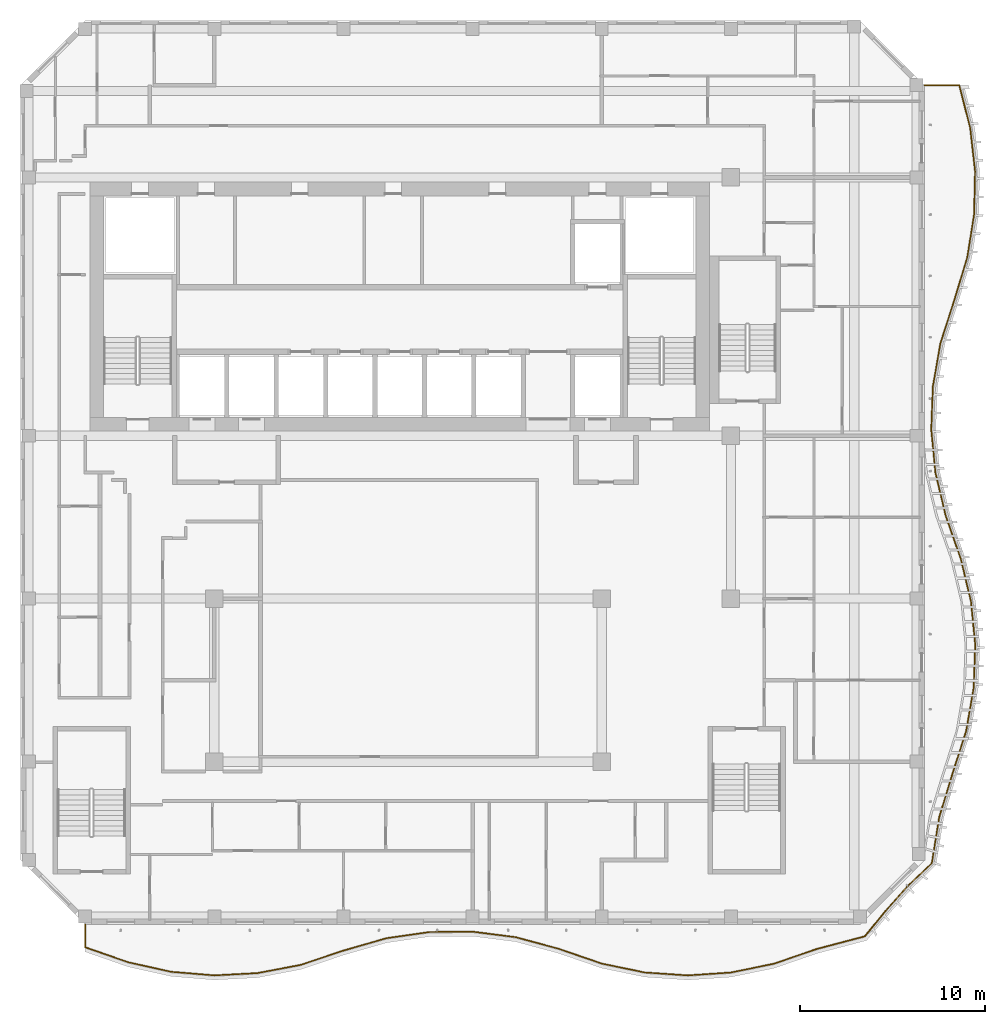
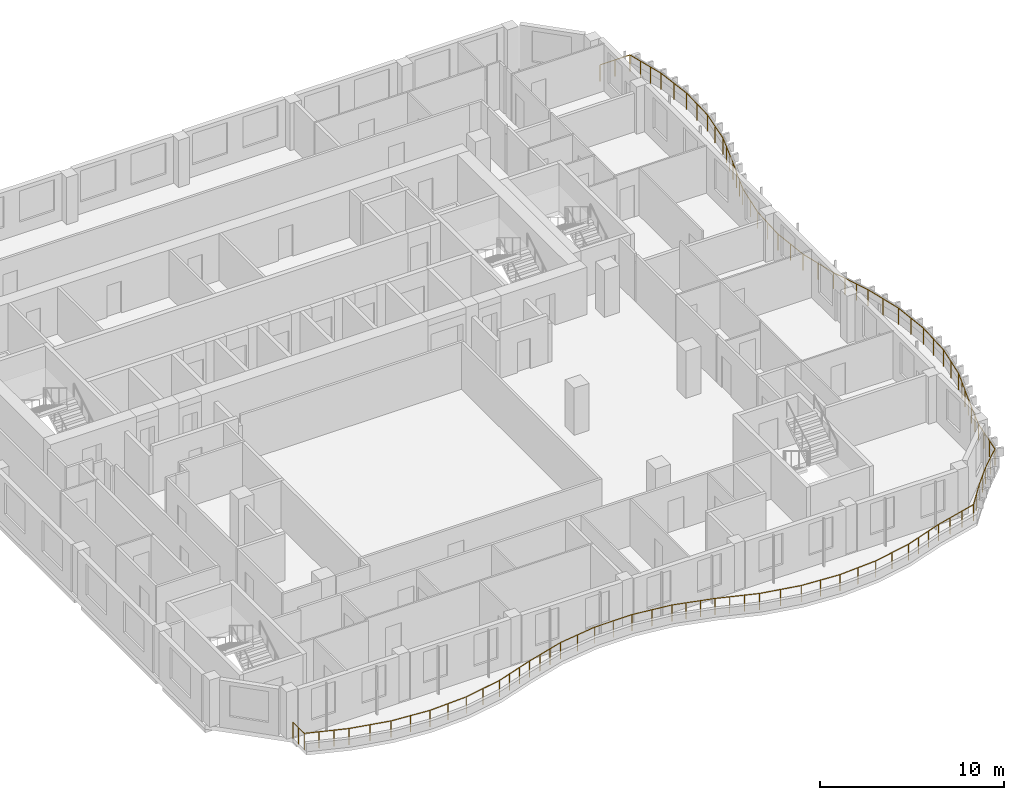
# One storey, part 15 of 19: 1 railing.
"""IFC4 building model written with IfcOpenShell, lengths in metres."""

from ifc_helpers import new_model, si_unit, direction, frame, origin, origin_2d, place, context, subcontext, project, spatial, circle, extrude, material, type_object, element, save


model = new_model("IFC4")

# Units and contexts
model_context = context("Model", 3, precision=1e-05, world=origin(), true_north=direction((0.0, 1.0)))
body_context = subcontext(model_context, "Body", "Model", "MODEL_VIEW")
ifc_project = project(units=[si_unit("LENGTHUNIT", "METRE"), si_unit("AREAUNIT", "SQUARE_METRE"), si_unit("VOLUMEUNIT", "CUBIC_METRE"), si_unit("PLANEANGLEUNIT", "RADIAN"), si_unit("MASSUNIT", "GRAM", prefix="KILO")], contexts=[model_context])

# Site, building, storey
site_placement = place(None, origin())
site = spatial("IfcSite", under=ifc_project, at=site_placement, CompositionType="ELEMENT")
building_placement = place(site_placement, origin())
building = spatial("IfcBuilding", under=site, at=building_placement, Name="Kilnfold Tower and Market Hall", CompositionType="ELEMENT")
storey_placement = place(building_placement, frame((0.0, 0.0, 245.800048828125)))
storey = spatial("IfcBuildingStorey", under=building, at=storey_placement, Name="L59", CompositionType="ELEMENT", Elevation=245.800048828125)

# Railing
ifc_material = material(Name="Stainless steel and laminated glass", Category="steel")
railing_type = type_object("IfcRailingType", Name="GUARD 1100", PredefinedType="GUARDRAIL", material=ifc_material)
railing_placement = place(storey_placement, frame((-16.0, -18.5, 0.0)))
element("IfcRailing", 1, at=railing_placement, inside=storey, type_object=railing_type, Name="Guard balcony L59", PredefinedType="GUARDRAIL", context=body_context, shape_type="SweptSolid", body=[
    extrude(circle(Radius=0.02490234375, at=origin_2d()), frame((0.0, 0.0, 1.0751953125), z_axis=(0.0, -1.0, 0.0), x_axis=(1.0, 0.0, 0.0)), (0.0, 0.0, 1.0), 1.22314453125),
    extrude(circle(Radius=0.02490234375, at=origin_2d()), frame((0.0, -1.22314453125, 1.0751953125), z_axis=(0.94404147133, -0.329826773336, 0.0), x_axis=(0.329826773336, 0.94404147133, 0.0)), (0.0, 0.0, 1.0), 2.471435546875),
    extrude(circle(Radius=0.02490234375, at=origin_2d()), frame((2.333251953125, -2.038330078125, 1.0751953125), z_axis=(0.976295091637, -0.216443743375, 0.0), x_axis=(0.216443743375, 0.976295091637, 0.0)), (0.0, 0.0, 1.0), 2.39013671875),
    extrude(circle(Radius=0.02490234375, at=origin_2d()), frame((4.666748046875, -2.5556640625, 1.0751953125), z_axis=(0.99661801448, -0.082173798829, 0.0), x_axis=(0.082173798829, 0.99661801448, 0.0)), (0.0, 0.0, 1.0), 2.341064453125),
    extrude(circle(Radius=0.02490234375, at=origin_2d()), frame((7.0, -2.748046875, 1.0751953125), z_axis=(0.998639680103, 0.05214201113, 0.0), x_axis=(-0.05214201113, 0.998639680103, 0.0)), (0.0, 0.0, 1.0), 2.33642578125),
    extrude(circle(Radius=0.02490234375, at=origin_2d()), frame((9.333251953125, -2.626220703125, 1.0751953125), z_axis=(0.982481332733, 0.186361022834, 0.0), x_axis=(-0.186361022834, 0.982481332733, 0.0)), (0.0, 0.0, 1.0), 2.375),
    extrude(circle(Radius=0.02490234375, at=origin_2d()), frame((11.666748046875, -2.18359375, 1.0751953125), z_axis=(0.948494561878, 0.316793412317, 0.0), x_axis=(-0.316793412317, 0.948494561878, 0.0)), (0.0, 0.0, 1.0), 2.4599609375),
    extrude(circle(Radius=0.02490234375, at=origin_2d()), frame((14.0, -1.404296875, 1.0751953125), z_axis=(0.961059623147, 0.276341094947, 0.0), x_axis=(-0.276341094947, 0.961059623147, 0.0)), (0.0, 0.0, 1.0), 2.427734375),
    extrude(circle(Radius=0.02490234375, at=origin_2d()), frame((16.333251953125, -0.7333984375, 1.0751953125), z_axis=(0.989868551931, 0.1419867948, 0.0), x_axis=(-0.1419867948, 0.989868551931, 0.0)), (0.0, 0.0, 1.0), 2.357421875),
    extrude(circle(Radius=0.02490234375, at=origin_2d()), frame((18.666748046875, -0.398681640625, 1.0751953125), z_axis=(0.999970024203, 0.007742783488, 0.0), x_axis=(-0.007742783488, 0.999970024203, 0.0)), (0.0, 0.0, 1.0), 2.333251953125),
    extrude(circle(Radius=0.02490234375, at=origin_2d()), frame((21.0, -0.380615234375, 1.0751953125), z_axis=(0.991976388571, -0.12642327522, 0.0), x_axis=(0.12642327522, 0.991976388571, 0.0)), (0.0, 0.0, 1.0), 2.35205078125),
    extrude(circle(Radius=0.02490234375, at=origin_2d()), frame((23.333251953125, -0.677978515625, 1.0751953125), z_axis=(0.965395014105, -0.260791998998, 0.0), x_axis=(0.260791998998, 0.965395014105, 0.0)), (0.0, 0.0, 1.0), 2.417236328125),
    extrude(circle(Radius=0.02490234375, at=origin_2d()), frame((25.666748046875, -1.308349609375, 1.0751953125), z_axis=(0.945632403198, -0.325237387183, 0.0), x_axis=(0.325237387183, 0.945632403198, 0.0)), (0.0, 0.0, 1.0), 2.46728515625),
    extrude(circle(Radius=0.02490234375, at=origin_2d()), frame((28.0, -2.11083984375, 1.0751953125), z_axis=(0.979408794007, -0.201887132384, 0.0), x_axis=(0.201887132384, 0.979408794007, 0.0)), (0.0, 0.0, 1.0), 2.38232421875),
    extrude(circle(Radius=0.02490234375, at=origin_2d()), frame((30.333251953125, -2.591796875, 1.0751953125), z_axis=(0.997709702118, -0.067641335737, 0.0), x_axis=(0.067641335737, 0.997709702118, 0.0)), (0.0, 0.0, 1.0), 2.3388671875),
    extrude(circle(Radius=0.02490234375, at=origin_2d()), frame((32.666748046875, -2.75, 1.0751953125), z_axis=(0.99777914831, 0.066609092458, 0.0), x_axis=(-0.066609092458, 0.99777914831, 0.0)), (0.0, 0.0, 1.0), 2.33837890625),
    extrude(circle(Radius=0.02490234375, at=origin_2d()), frame((35.0, -2.59423828125, 1.0751953125), z_axis=(0.979610977569, 0.200903789477, 0.0), x_axis=(-0.200903789477, 0.979610977569, 0.0)), (0.0, 0.0, 1.0), 2.3818359375),
    extrude(circle(Radius=0.02490234375, at=origin_2d()), frame((37.333251953125, -2.11572265625, 1.0751953125), z_axis=(0.94579491998, 0.324764482881, 0.0), x_axis=(-0.324764482881, 0.94579491998, 0.0)), (0.0, 0.0, 1.0), 2.46728515625),
    extrude(circle(Radius=0.02490234375, at=origin_2d()), frame((39.666748046875, -1.314453125, 1.0751953125), z_axis=(0.966873849107, 0.255254696164, 0.0), x_axis=(-0.255254696164, 0.966873849107, 0.0)), (0.0, 0.0, 1.0), 2.682861328125),
    extrude(circle(Radius=0.02490234375, at=origin_2d()), frame((42.2607421875, -0.629638671875, 1.0751953125), z_axis=(0.632323553789, 0.774704410291, 0.0), x_axis=(-0.774704410291, 0.632323553789, 0.0)), (0.0, 0.0, 1.0), 1.92041015625),
    extrude(circle(Radius=0.02490234375, at=origin_2d()), frame((43.47509765625, 0.858154296875, 1.0751953125), z_axis=(0.669274920108, 0.743014859417, 0.0), x_axis=(-0.743014859417, 0.669274920108, 0.0)), (0.0, 0.0, 1.0), 1.652099609375),
    extrude(circle(Radius=0.02490234375, at=origin_2d()), frame((44.580810546875, 2.085693359375, 1.0751953125), z_axis=(0.721974178911, 0.691919998978, 0.0), x_axis=(-0.691919998978, 0.721974178911, 0.0)), (0.0, 0.0, 1.0), 1.8115234375),
    extrude(circle(Radius=0.02490234375, at=origin_2d()), frame((45.888671875, 3.339111328125, 1.0751953125), z_axis=(0.159727617547, 0.98716112575, 0.0), x_axis=(-0.98716112575, 0.159727617547, 0.0)), (0.0, 0.0, 1.0), 2.526611328125),
    extrude(circle(Radius=0.02490234375, at=origin_2d()), frame((46.292236328125, 5.833251953125, 1.0751953125), z_axis=(0.291623527613, 0.956533176708, 0.0), x_axis=(-0.956533176708, 0.291623527613, 0.0)), (0.0, 0.0, 1.0), 2.439453125),
    extrude(circle(Radius=0.02490234375, at=origin_2d()), frame((47.003662109375, 8.166748046875, 1.0751953125), z_axis=(0.305025200401, 0.952344279723, 0.0), x_axis=(-0.952344279723, 0.305025200401, 0.0)), (0.0, 0.0, 1.0), 2.449951171875),
    extrude(circle(Radius=0.02490234375, at=origin_2d()), frame((47.7509765625, 10.5, 1.0751953125), z_axis=(0.171032263888, 0.985265428557, 0.0), x_axis=(-0.985265428557, 0.171032263888, 0.0)), (0.0, 0.0, 1.0), 2.3681640625),
    extrude(circle(Radius=0.02490234375, at=origin_2d()), frame((48.156005859375, 12.833251953125, 1.0751953125), z_axis=(0.036802839109, 0.999322546045, 0.0), x_axis=(-0.999322546045, 0.036802839109, 0.0)), (0.0, 0.0, 1.0), 2.3349609375),
    extrude(circle(Radius=0.02490234375, at=origin_2d()), frame((48.241943359375, 15.166748046875, 1.0751953125), z_axis=(-0.097369173508, 0.995248332855, 0.0), x_axis=(-0.995248332855, -0.097369173508, 0.0)), (0.0, 0.0, 1.0), 2.344482421875),
    extrude(circle(Radius=0.02490234375, at=origin_2d()), frame((48.013671875, 17.5, 1.0751953125), z_axis=(-0.231767306568, 0.972771255541, 0.0), x_axis=(-0.972771255541, -0.231767306568, 0.0)), (0.0, 0.0, 1.0), 2.398681640625),
    extrude(circle(Radius=0.02490234375, at=origin_2d()), frame((47.457763671875, 19.833251953125, 1.0751953125), z_axis=(-0.331379128816, 0.943497680435, 0.0), x_axis=(-0.943497680435, -0.331379128816, 0.0)), (0.0, 0.0, 1.0), 2.47314453125),
    extrude(circle(Radius=0.02490234375, at=origin_2d()), frame((46.63818359375, 22.166748046875, 1.0751953125), z_axis=(-0.23099653904, 0.972954571885, 0.0), x_axis=(-0.972954571885, -0.23099653904, 0.0)), (0.0, 0.0, 1.0), 2.398193359375),
    extrude(circle(Radius=0.02490234375, at=origin_2d()), frame((46.084228515625, 24.5, 1.0751953125), z_axis=(-0.0966470409, 0.99531871754, 0.0), x_axis=(-0.99531871754, -0.0966470409, 0.0)), (0.0, 0.0, 1.0), 2.34423828125),
    extrude(circle(Radius=0.02490234375, at=origin_2d()), frame((45.857666015625, 26.833251953125, 1.0751953125), z_axis=(0.03753369274, 0.999295362698, 0.0), x_axis=(-0.999295362698, 0.03753369274, 0.0)), (0.0, 0.0, 1.0), 2.335205078125),
    extrude(circle(Radius=0.02490234375, at=origin_2d()), frame((45.9453125, 29.166748046875, 1.0751953125), z_axis=(0.171832717386, 0.985126142804, 0.0), x_axis=(-0.985126142804, 0.171832717386, 0.0)), (0.0, 0.0, 1.0), 2.368408203125),
    extrude(circle(Radius=0.02490234375, at=origin_2d()), frame((46.352294921875, 31.5, 1.0751953125), z_axis=(0.305657640943, 0.952141484514, 0.0), x_axis=(-0.952141484514, 0.305657640943, 0.0)), (0.0, 0.0, 1.0), 2.450439453125),
    extrude(circle(Radius=0.02490234375, at=origin_2d()), frame((47.101318359375, 33.833251953125, 1.0751953125), z_axis=(0.290890745154, 0.956756277421, 0.0), x_axis=(-0.956756277421, 0.290890745154, 0.0)), (0.0, 0.0, 1.0), 2.43896484375),
    extrude(circle(Radius=0.02490234375, at=origin_2d()), frame((47.810791015625, 36.166748046875, 1.0751953125), z_axis=(0.156466716862, 0.987683231869, 0.0), x_axis=(-0.987683231869, 0.156466716862, 0.0)), (0.0, 0.0, 1.0), 2.3623046875),
    extrude(circle(Radius=0.02490234375, at=origin_2d()), frame((48.180419921875, 38.5, 1.0751953125), z_axis=(0.02238635245, 0.99974939421, 0.0), x_axis=(-0.99974939421, 0.02238635245, 0.0)), (0.0, 0.0, 1.0), 2.333740234375),
    extrude(circle(Radius=0.02490234375, at=origin_2d()), frame((48.232666015625, 40.833251953125, 1.0751953125), z_axis=(-0.111971871997, 0.993711376548, 0.0), x_axis=(-0.993711376548, -0.111971871997, 0.0)), (0.0, 0.0, 1.0), 2.34814453125),
    extrude(circle(Radius=0.02490234375, at=origin_2d()), frame((47.9697265625, 43.166748046875, 1.0751953125), z_axis=(-0.246232479972, 0.969210795342, 0.0), x_axis=(-0.969210795342, -0.246232479972, 0.0)), (0.0, 0.0, 1.0), 2.407470703125),
    extrude(circle(Radius=0.02490234375, at=origin_2d()), frame((47.376953125, 45.5, 1.0751953125), z_axis=(-1.0, 0.0, 0.0), x_axis=(0.0, -1.0, 0.0)), (0.0, 0.0, 1.0), 1.876953125),
    extrude(circle(Radius=0.02490234375, at=origin_2d()), origin(), (0.0, 0.0, 1.0), 1.050048828125),
    extrude(circle(Radius=0.02490234375, at=origin_2d()), frame((0.0, -0.611572265625, 0.0)), (0.0, 0.0, 1.0), 1.050048828125),
    extrude(circle(Radius=0.02490234375, at=origin_2d()), frame((0.0, -1.22314453125, 0.0)), (0.0, 0.0, 1.0), 1.050048828125),
    extrude(circle(Radius=0.02490234375, at=origin_2d()), frame((0.77783203125, -1.494873046875, 0.0)), (0.0, 0.0, 1.0), 1.050048828125),
    extrude(circle(Radius=0.02490234375, at=origin_2d()), frame((1.555419921875, -1.7666015625, 0.0)), (0.0, 0.0, 1.0), 1.050048828125),
    extrude(circle(Radius=0.02490234375, at=origin_2d()), frame((2.333251953125, -2.038330078125, 0.0)), (0.0, 0.0, 1.0), 1.050048828125),
    extrude(circle(Radius=0.02490234375, at=origin_2d()), frame((3.5, -2.296875, 0.0)), (0.0, 0.0, 1.0), 1.050048828125),
    extrude(circle(Radius=0.02490234375, at=origin_2d()), frame((4.666748046875, -2.5556640625, 0.0)), (0.0, 0.0, 1.0), 1.050048828125),
    extrude(circle(Radius=0.02490234375, at=origin_2d()), frame((5.83349609375, -2.65185546875, 0.0)), (0.0, 0.0, 1.0), 1.050048828125),
    extrude(circle(Radius=0.02490234375, at=origin_2d()), frame((7.0, -2.748046875, 0.0)), (0.0, 0.0, 1.0), 1.050048828125),
    extrude(circle(Radius=0.02490234375, at=origin_2d()), frame((8.16650390625, -2.68701171875, 0.0)), (0.0, 0.0, 1.0), 1.050048828125),
    extrude(circle(Radius=0.02490234375, at=origin_2d()), frame((9.333251953125, -2.626220703125, 0.0)), (0.0, 0.0, 1.0), 1.050048828125),
    extrude(circle(Radius=0.02490234375, at=origin_2d()), frame((10.5, -2.40478515625, 0.0)), (0.0, 0.0, 1.0), 1.050048828125),
    extrude(circle(Radius=0.02490234375, at=origin_2d()), frame((11.666748046875, -2.18359375, 0.0)), (0.0, 0.0, 1.0), 1.050048828125),
    extrude(circle(Radius=0.02490234375, at=origin_2d()), frame((12.444580078125, -1.923828125, 0.0)), (0.0, 0.0, 1.0), 1.050048828125),
    extrude(circle(Radius=0.02490234375, at=origin_2d()), frame((13.22216796875, -1.6640625, 0.0)), (0.0, 0.0, 1.0), 1.050048828125),
    extrude(circle(Radius=0.02490234375, at=origin_2d()), frame((14.0, -1.404296875, 0.0)), (0.0, 0.0, 1.0), 1.050048828125),
    extrude(circle(Radius=0.02490234375, at=origin_2d()), frame((14.77783203125, -1.1806640625, 0.0)), (0.0, 0.0, 1.0), 1.050048828125),
    extrude(circle(Radius=0.02490234375, at=origin_2d()), frame((15.555419921875, -0.95703125, 0.0)), (0.0, 0.0, 1.0), 1.050048828125),
    extrude(circle(Radius=0.02490234375, at=origin_2d()), frame((16.333251953125, -0.7333984375, 0.0)), (0.0, 0.0, 1.0), 1.050048828125),
    extrude(circle(Radius=0.02490234375, at=origin_2d()), frame((17.5, -0.56591796875, 0.0)), (0.0, 0.0, 1.0), 1.050048828125),
    extrude(circle(Radius=0.02490234375, at=origin_2d()), frame((18.666748046875, -0.398681640625, 0.0)), (0.0, 0.0, 1.0), 1.050048828125),
    extrude(circle(Radius=0.02490234375, at=origin_2d()), frame((19.83349609375, -0.3896484375, 0.0)), (0.0, 0.0, 1.0), 1.050048828125),
    extrude(circle(Radius=0.02490234375, at=origin_2d()), frame((21.0, -0.380615234375, 0.0)), (0.0, 0.0, 1.0), 1.050048828125),
    extrude(circle(Radius=0.02490234375, at=origin_2d()), frame((22.16650390625, -0.529296875, 0.0)), (0.0, 0.0, 1.0), 1.050048828125),
    extrude(circle(Radius=0.02490234375, at=origin_2d()), frame((23.333251953125, -0.677978515625, 0.0)), (0.0, 0.0, 1.0), 1.050048828125),
    extrude(circle(Radius=0.02490234375, at=origin_2d()), frame((24.111083984375, -0.88818359375, 0.0)), (0.0, 0.0, 1.0), 1.050048828125),
    extrude(circle(Radius=0.02490234375, at=origin_2d()), frame((24.888916015625, -1.09814453125, 0.0)), (0.0, 0.0, 1.0), 1.050048828125),
    extrude(circle(Radius=0.02490234375, at=origin_2d()), frame((25.666748046875, -1.308349609375, 0.0)), (0.0, 0.0, 1.0), 1.050048828125),
    extrude(circle(Radius=0.02490234375, at=origin_2d()), frame((26.444580078125, -1.575927734375, 0.0)), (0.0, 0.0, 1.0), 1.050048828125),
    extrude(circle(Radius=0.02490234375, at=origin_2d()), frame((27.22216796875, -1.84326171875, 0.0)), (0.0, 0.0, 1.0), 1.050048828125),
    extrude(circle(Radius=0.02490234375, at=origin_2d()), frame((28.0, -2.11083984375, 0.0)), (0.0, 0.0, 1.0), 1.050048828125),
    extrude(circle(Radius=0.02490234375, at=origin_2d()), frame((29.16650390625, -2.351318359375, 0.0)), (0.0, 0.0, 1.0), 1.050048828125),
    extrude(circle(Radius=0.02490234375, at=origin_2d()), frame((30.333251953125, -2.591796875, 0.0)), (0.0, 0.0, 1.0), 1.050048828125),
    extrude(circle(Radius=0.02490234375, at=origin_2d()), frame((31.5, -2.6708984375, 0.0)), (0.0, 0.0, 1.0), 1.050048828125),
    extrude(circle(Radius=0.02490234375, at=origin_2d()), frame((32.666748046875, -2.75, 0.0)), (0.0, 0.0, 1.0), 1.050048828125),
    extrude(circle(Radius=0.02490234375, at=origin_2d()), frame((33.83349609375, -2.672119140625, 0.0)), (0.0, 0.0, 1.0), 1.050048828125),
    extrude(circle(Radius=0.02490234375, at=origin_2d()), frame((35.0, -2.59423828125, 0.0)), (0.0, 0.0, 1.0), 1.050048828125),
    extrude(circle(Radius=0.02490234375, at=origin_2d()), frame((36.16650390625, -2.35498046875, 0.0)), (0.0, 0.0, 1.0), 1.050048828125),
    extrude(circle(Radius=0.02490234375, at=origin_2d()), frame((37.333251953125, -2.11572265625, 0.0)), (0.0, 0.0, 1.0), 1.050048828125),
    extrude(circle(Radius=0.02490234375, at=origin_2d()), frame((38.111083984375, -1.8486328125, 0.0)), (0.0, 0.0, 1.0), 1.050048828125),
    extrude(circle(Radius=0.02490234375, at=origin_2d()), frame((38.888916015625, -1.58154296875, 0.0)), (0.0, 0.0, 1.0), 1.050048828125),
    extrude(circle(Radius=0.02490234375, at=origin_2d()), frame((39.666748046875, -1.314453125, 0.0)), (0.0, 0.0, 1.0), 1.050048828125),
    extrude(circle(Radius=0.02490234375, at=origin_2d()), frame((40.531494140625, -1.086181640625, 0.0)), (0.0, 0.0, 1.0), 1.050048828125),
    extrude(circle(Radius=0.02490234375, at=origin_2d()), frame((41.39599609375, -0.85791015625, 0.0)), (0.0, 0.0, 1.0), 1.050048828125),
    extrude(circle(Radius=0.02490234375, at=origin_2d()), frame((42.2607421875, -0.629638671875, 0.0)), (0.0, 0.0, 1.0), 1.050048828125),
    extrude(circle(Radius=0.02490234375, at=origin_2d()), frame((42.867919921875, 0.1142578125, 0.0)), (0.0, 0.0, 1.0), 1.050048828125),
    extrude(circle(Radius=0.02490234375, at=origin_2d()), frame((43.47509765625, 0.858154296875, 0.0)), (0.0, 0.0, 1.0), 1.050048828125),
    extrude(circle(Radius=0.02490234375, at=origin_2d()), frame((44.02783203125, 1.471923828125, 0.0)), (0.0, 0.0, 1.0), 1.050048828125),
    extrude(circle(Radius=0.02490234375, at=origin_2d()), frame((44.580810546875, 2.085693359375, 0.0)), (0.0, 0.0, 1.0), 1.050048828125),
    extrude(circle(Radius=0.02490234375, at=origin_2d()), frame((45.23486328125, 2.71240234375, 0.0)), (0.0, 0.0, 1.0), 1.050048828125),
    extrude(circle(Radius=0.02490234375, at=origin_2d()), frame((45.888671875, 3.339111328125, 0.0)), (0.0, 0.0, 1.0), 1.050048828125),
    extrude(circle(Radius=0.02490234375, at=origin_2d()), frame((46.023193359375, 4.17041015625, 0.0)), (0.0, 0.0, 1.0), 1.050048828125),
    extrude(circle(Radius=0.02490234375, at=origin_2d()), frame((46.15771484375, 5.001953125, 0.0)), (0.0, 0.0, 1.0), 1.050048828125),
    extrude(circle(Radius=0.02490234375, at=origin_2d()), frame((46.292236328125, 5.833251953125, 0.0)), (0.0, 0.0, 1.0), 1.050048828125),
    extrude(circle(Radius=0.02490234375, at=origin_2d()), frame((46.529296875, 6.611083984375, 0.0)), (0.0, 0.0, 1.0), 1.050048828125),
    extrude(circle(Radius=0.02490234375, at=origin_2d()), frame((46.7666015625, 7.388916015625, 0.0)), (0.0, 0.0, 1.0), 1.050048828125),
    extrude(circle(Radius=0.02490234375, at=origin_2d()), frame((47.003662109375, 8.166748046875, 0.0)), (0.0, 0.0, 1.0), 1.050048828125),
    extrude(circle(Radius=0.02490234375, at=origin_2d()), frame((47.252685546875, 8.944580078125, 0.0)), (0.0, 0.0, 1.0), 1.050048828125),
    extrude(circle(Radius=0.02490234375, at=origin_2d()), frame((47.501953125, 9.72216796875, 0.0)), (0.0, 0.0, 1.0), 1.050048828125),
    extrude(circle(Radius=0.02490234375, at=origin_2d()), frame((47.7509765625, 10.5, 0.0)), (0.0, 0.0, 1.0), 1.050048828125),
    extrude(circle(Radius=0.02490234375, at=origin_2d()), frame((47.95361328125, 11.66650390625, 0.0)), (0.0, 0.0, 1.0), 1.050048828125),
    extrude(circle(Radius=0.02490234375, at=origin_2d()), frame((48.156005859375, 12.833251953125, 0.0)), (0.0, 0.0, 1.0), 1.050048828125),
    extrude(circle(Radius=0.02490234375, at=origin_2d()), frame((48.198974609375, 14.0, 0.0)), (0.0, 0.0, 1.0), 1.050048828125),
    extrude(circle(Radius=0.02490234375, at=origin_2d()), frame((48.241943359375, 15.166748046875, 0.0)), (0.0, 0.0, 1.0), 1.050048828125),
    extrude(circle(Radius=0.02490234375, at=origin_2d()), frame((48.1279296875, 16.33349609375, 0.0)), (0.0, 0.0, 1.0), 1.050048828125),
    extrude(circle(Radius=0.02490234375, at=origin_2d()), frame((48.013671875, 17.5, 0.0)), (0.0, 0.0, 1.0), 1.050048828125),
    extrude(circle(Radius=0.02490234375, at=origin_2d()), frame((47.73583984375, 18.66650390625, 0.0)), (0.0, 0.0, 1.0), 1.050048828125),
    extrude(circle(Radius=0.02490234375, at=origin_2d()), frame((47.457763671875, 19.833251953125, 0.0)), (0.0, 0.0, 1.0), 1.050048828125),
    extrude(circle(Radius=0.02490234375, at=origin_2d()), frame((47.1845703125, 20.611083984375, 0.0)), (0.0, 0.0, 1.0), 1.050048828125),
    extrude(circle(Radius=0.02490234375, at=origin_2d()), frame((46.911376953125, 21.388916015625, 0.0)), (0.0, 0.0, 1.0), 1.050048828125),
    extrude(circle(Radius=0.02490234375, at=origin_2d()), frame((46.63818359375, 22.166748046875, 0.0)), (0.0, 0.0, 1.0), 1.050048828125),
    extrude(circle(Radius=0.02490234375, at=origin_2d()), frame((46.361328125, 23.33349609375, 0.0)), (0.0, 0.0, 1.0), 1.050048828125),
    extrude(circle(Radius=0.02490234375, at=origin_2d()), frame((46.084228515625, 24.5, 0.0)), (0.0, 0.0, 1.0), 1.050048828125),
    extrude(circle(Radius=0.02490234375, at=origin_2d()), frame((45.970947265625, 25.66650390625, 0.0)), (0.0, 0.0, 1.0), 1.050048828125),
    extrude(circle(Radius=0.02490234375, at=origin_2d()), frame((45.857666015625, 26.833251953125, 0.0)), (0.0, 0.0, 1.0), 1.050048828125),
    extrude(circle(Radius=0.02490234375, at=origin_2d()), frame((45.9013671875, 28.0, 0.0)), (0.0, 0.0, 1.0), 1.050048828125),
    extrude(circle(Radius=0.02490234375, at=origin_2d()), frame((45.9453125, 29.166748046875, 0.0)), (0.0, 0.0, 1.0), 1.050048828125),
    extrude(circle(Radius=0.02490234375, at=origin_2d()), frame((46.14892578125, 30.33349609375, 0.0)), (0.0, 0.0, 1.0), 1.050048828125),
    extrude(circle(Radius=0.02490234375, at=origin_2d()), frame((46.352294921875, 31.5, 0.0)), (0.0, 0.0, 1.0), 1.050048828125),
    extrude(circle(Radius=0.02490234375, at=origin_2d()), frame((46.60205078125, 32.27783203125, 0.0)), (0.0, 0.0, 1.0), 1.050048828125),
    extrude(circle(Radius=0.02490234375, at=origin_2d()), frame((46.8515625, 33.055419921875, 0.0)), (0.0, 0.0, 1.0), 1.050048828125),
    extrude(circle(Radius=0.02490234375, at=origin_2d()), frame((47.101318359375, 33.833251953125, 0.0)), (0.0, 0.0, 1.0), 1.050048828125),
    extrude(circle(Radius=0.02490234375, at=origin_2d()), frame((47.337890625, 34.611083984375, 0.0)), (0.0, 0.0, 1.0), 1.050048828125),
    extrude(circle(Radius=0.02490234375, at=origin_2d()), frame((47.57421875, 35.388916015625, 0.0)), (0.0, 0.0, 1.0), 1.050048828125),
    extrude(circle(Radius=0.02490234375, at=origin_2d()), frame((47.810791015625, 36.166748046875, 0.0)), (0.0, 0.0, 1.0), 1.050048828125),
    extrude(circle(Radius=0.02490234375, at=origin_2d()), frame((47.99560546875, 37.33349609375, 0.0)), (0.0, 0.0, 1.0), 1.050048828125),
    extrude(circle(Radius=0.02490234375, at=origin_2d()), frame((48.180419921875, 38.5, 0.0)), (0.0, 0.0, 1.0), 1.050048828125),
    extrude(circle(Radius=0.02490234375, at=origin_2d()), frame((48.20654296875, 39.66650390625, 0.0)), (0.0, 0.0, 1.0), 1.050048828125),
    extrude(circle(Radius=0.02490234375, at=origin_2d()), frame((48.232666015625, 40.833251953125, 0.0)), (0.0, 0.0, 1.0), 1.050048828125),
    extrude(circle(Radius=0.02490234375, at=origin_2d()), frame((48.10107421875, 42.0, 0.0)), (0.0, 0.0, 1.0), 1.050048828125),
    extrude(circle(Radius=0.02490234375, at=origin_2d()), frame((47.9697265625, 43.166748046875, 0.0)), (0.0, 0.0, 1.0), 1.050048828125),
    extrude(circle(Radius=0.02490234375, at=origin_2d()), frame((47.772216796875, 43.944580078125, 0.0)), (0.0, 0.0, 1.0), 1.050048828125),
    extrude(circle(Radius=0.02490234375, at=origin_2d()), frame((47.574462890625, 44.72216796875, 0.0)), (0.0, 0.0, 1.0), 1.050048828125),
    extrude(circle(Radius=0.02490234375, at=origin_2d()), frame((47.376953125, 45.5, 0.0)), (0.0, 0.0, 1.0), 1.050048828125),
    extrude(circle(Radius=0.02490234375, at=origin_2d()), frame((46.4384765625, 45.5, 0.0)), (0.0, 0.0, 1.0), 1.050048828125),
    extrude(circle(Radius=0.02490234375, at=origin_2d()), frame((45.5, 45.5, 0.0)), (0.0, 0.0, 1.0), 1.050048828125),
])

save(model, "model.ifc")
